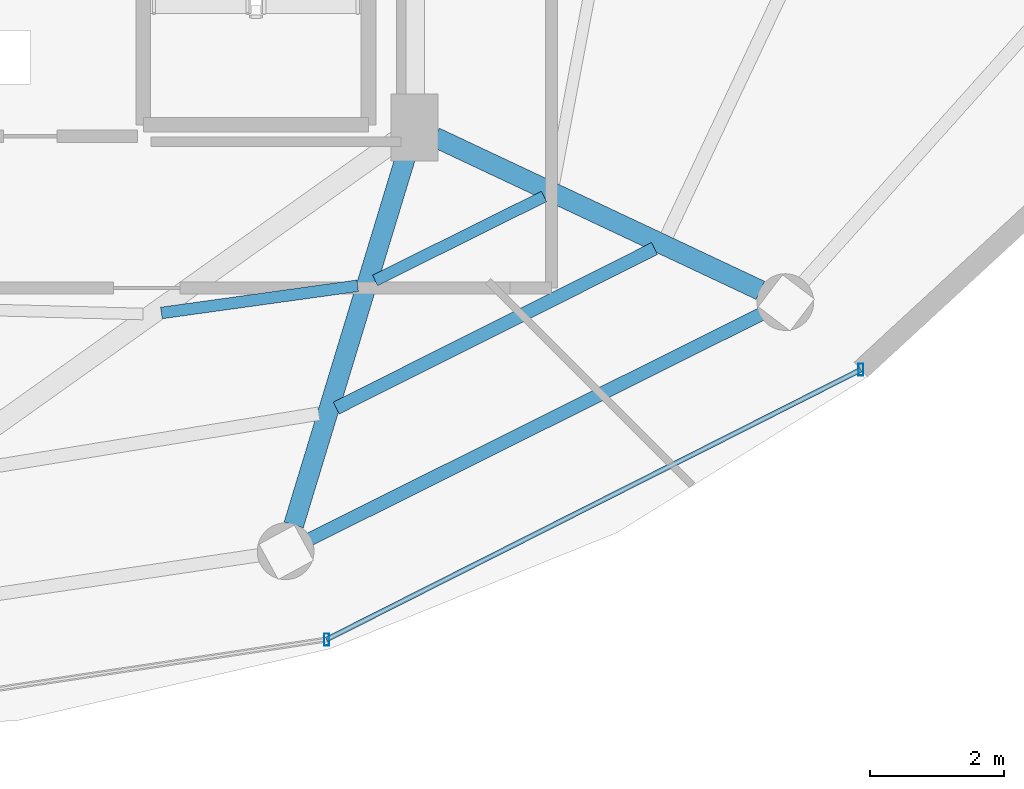
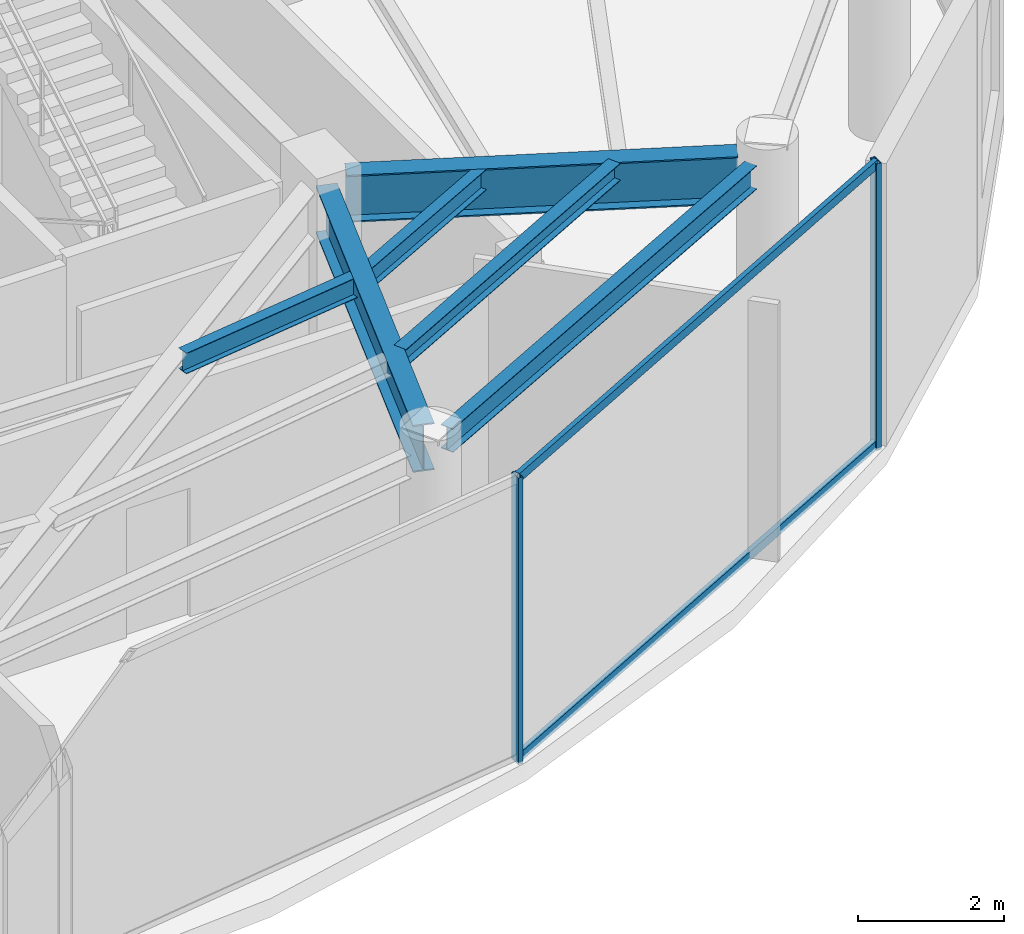
# One storey, part 11 of 24: 6 beams, 4 members, 1 element without a shape of its own.
"""IFC4 building model written with IfcOpenShell, lengths in metres."""

from ifc_helpers import new_model, si_unit, direction, frame, origin, origin_2d, place, context, subcontext, project, spatial, hollow_rectangle, i_section, extrude, material, material_profile, profile_set, type_object, element, aggregate, save


model = new_model("IFC4")

# Units and contexts
model_context = context("Model", 3, precision=1e-05, world=origin(), true_north=direction((0.0, 1.0)))
body_context = subcontext(model_context, "Body", "Model", "MODEL_VIEW")
ifc_project = project(units=[si_unit("LENGTHUNIT", "METRE"), si_unit("AREAUNIT", "SQUARE_METRE"), si_unit("VOLUMEUNIT", "CUBIC_METRE"), si_unit("PLANEANGLEUNIT", "RADIAN"), si_unit("MASSUNIT", "GRAM", prefix="KILO")], contexts=[model_context])

# Site, building, storey
site_placement = place(None, origin())
site = spatial("IfcSite", under=ifc_project, at=site_placement, CompositionType="ELEMENT")
building_placement = place(site_placement, origin())
building = spatial("IfcBuilding", under=site, at=building_placement, Name="Vorneva Point Tower", CompositionType="ELEMENT")
storey_placement = place(building_placement, frame((0.0, 0.0, 290.39990234375)))
storey = spatial("IfcBuildingStorey", under=building, at=storey_placement, Name="L78", CompositionType="ELEMENT", Elevation=290.39990234375)

# Beams
ifc_material_1 = material(Name="Steel S355", Category="steel")
ifc_material_profile_1 = material_profile(ifc_material_1, i_section(OverallWidth=0.300048828125, OverallDepth=0.7880859375, WebThickness=0.014404296875, FlangeThickness=0.02197265625, at=origin_2d()), Name="80Sh1")
ifc_profile_set_1 = profile_set([ifc_material_profile_1], Name="Steel S355")
beam_type_1 = type_object("IfcBeamType", Name="BM-GRD-80Sh1", PredefinedType="USERDEFINED", material=ifc_profile_set_1)
beam_1_placement = place(storey_placement, frame((46.941162109375, 10.50439453125, 4.326171875), z_axis=(0.291032624293, 0.956713129207, 0.0), x_axis=(-0.956713129207, 0.291032624293, 0.0)))
element("IfcBeam", 1, at=beam_1_placement, inside=storey, type_object=beam_type_1, Name="L78 Radial Primary Girder 14", ObjectType="GIRDER", PredefinedType="USERDEFINED", context=body_context, shape_type="SweptSolid", body=[
    extrude(i_section(OverallWidth=0.300048828125, OverallDepth=0.7880859375, WebThickness=0.014404296875, FlangeThickness=0.02197265625, at=origin_2d()), origin(), (0.0, 0.0, 1.0), 5.874755859375),
])
beam_2_placement = place(storey_placement, frame((53.925048828125, 14.013671875, 4.326171875), z_axis=(-0.904750812805, 0.425941271455, 0.0), x_axis=(-0.425941271455, -0.904750812805, 0.0)))
element("IfcBeam", 2, at=beam_2_placement, inside=storey, type_object=beam_type_1, Name="L78 Radial Primary Girder 15", ObjectType="GIRDER", PredefinedType="USERDEFINED", context=body_context, shape_type="SweptSolid", body=[
    extrude(i_section(OverallWidth=0.300048828125, OverallDepth=0.7880859375, WebThickness=0.014404296875, FlangeThickness=0.02197265625, at=origin_2d()), origin(), (0.0, 0.0, 1.0), 5.3798828125),
])
ifc_material_profile_2 = material_profile(ifc_material_1, i_section(OverallWidth=0.199951171875, OverallDepth=0.291015625, WebThickness=0.008056640625, FlangeThickness=0.010986328125, at=origin_2d()), Name="30Sh1")
ifc_profile_set_2 = profile_set([ifc_material_profile_2], Name="Steel S355")
beam_type_2 = type_object("IfcBeamType", Name="BM-SEC-30Sh1", PredefinedType="BEAM", material=ifc_profile_set_2)
beam_3_placement = place(storey_placement, frame((47.577392578125, 12.252197265625, 4.57470703125), z_axis=(0.894042010331, 0.447983128883, 0.0), x_axis=(-0.447983128883, 0.894042010331, 0.0)))
element("IfcBeam", 3, at=beam_3_placement, inside=storey, type_object=beam_type_2, Name="L78 Secondary Floor Beam 1.14", PredefinedType="BEAM", context=body_context, shape_type="SweptSolid", body=[
    extrude(i_section(OverallWidth=0.199951171875, OverallDepth=0.291015625, WebThickness=0.008056640625, FlangeThickness=0.010986328125, at=origin_2d()), origin(), (0.0, 0.0, 1.0), 5.328857421875),
])
ifc_material_profile_3 = material_profile(ifc_material_1, i_section(OverallWidth=0.174072265625, OverallDepth=0.345947265625, WebThickness=0.006103515625, FlangeThickness=0.009033203125, at=origin_2d()), Name="35B1")
ifc_profile_set_3 = profile_set([ifc_material_profile_3], Name="Steel S355")
beam_type_3 = type_object("IfcBeamType", Name="BM-SEC-35B1", PredefinedType="BEAM", material=ifc_profile_set_3)
beam_4_placement = place(storey_placement, frame((44.960693359375, 13.675048828125, 4.547119140625), z_axis=(0.990519047215, 0.137375460346, 0.0), x_axis=(-0.137375460346, 0.990519047215, 0.0)))
element("IfcBeam", 4, at=beam_4_placement, inside=storey, type_object=beam_type_3, Name="L78 Secondary Floor Beam 2.13", PredefinedType="BEAM", context=body_context, shape_type="SweptSolid", body=[
    extrude(i_section(OverallWidth=0.174072265625, OverallDepth=0.345947265625, WebThickness=0.006103515625, FlangeThickness=0.009033203125, at=origin_2d()), origin(), (0.0, 0.0, 1.0), 2.966064453125),
])
beam_5_placement = place(storey_placement, frame((48.158935546875, 14.162841796875, 4.547119140625), z_axis=(0.895531752864, 0.444997617536, 0.0), x_axis=(-0.444997617536, 0.895531752864, 0.0)))
element("IfcBeam", 5, at=beam_5_placement, inside=storey, type_object=beam_type_3, Name="L78 Secondary Floor Beam 2.14", PredefinedType="BEAM", context=body_context, shape_type="SweptSolid", body=[
    extrude(i_section(OverallWidth=0.174072265625, OverallDepth=0.345947265625, WebThickness=0.006103515625, FlangeThickness=0.009033203125, at=origin_2d()), origin(), (0.0, 0.0, 1.0), 2.822265625),
])
ifc_material_profile_4 = material_profile(ifc_material_1, i_section(OverallWidth=0.198974609375, OverallDepth=0.39599609375, WebThickness=0.007080078125, FlangeThickness=0.010986328125, at=origin_2d()), Name="40B1")
ifc_profile_set_4 = profile_set([ifc_material_profile_4], Name="Steel S355")
beam_type_4 = type_object("IfcBeamType", Name="BM-SPN-40B1", PredefinedType="SPANDREL", material=ifc_profile_set_4)
beam_6_placement = place(storey_placement, frame((47.187744140625, 10.292236328125, 4.522216796875), z_axis=(0.894932011528, 0.446202526599, 0.0), x_axis=(-0.446202526599, 0.894932011528, 0.0)))
element("IfcBeam", 6, at=beam_6_placement, inside=storey, type_object=beam_type_4, Name="L78 Perimeter Spandrel Ring Beam 14", PredefinedType="SPANDREL", context=body_context, shape_type="SweptSolid", body=[
    extrude(i_section(OverallWidth=0.198974609375, OverallDepth=0.39599609375, WebThickness=0.007080078125, FlangeThickness=0.010986328125, at=origin_2d()), origin(), (0.0, 0.0, 1.0), 7.535888671875),
])

# Curtain wall, members
ifc_material_2 = material(Name="Pale anodised aluminium", Category="aluminium")
curtain_wall_type = type_object("IfcCurtainWallType", Name="CW-OBS-SYS", PredefinedType="NOTDEFINED", material=ifc_material_2)
curtain_wall_placement = place(storey_placement, origin())
curtain_wall = element("IfcCurtainWall", 7, at=curtain_wall_placement, inside=storey, type_object=curtain_wall_type, Name="L78 Unitised Curtain Wall CW-L78-R04", PredefinedType="NOTDEFINED")
ifc_material_profile_5 = material_profile(ifc_material_2, hollow_rectangle(XDim=0.074951171875, YDim=0.179931640625, WallThickness=0.00390625, at=origin_2d()), Name="AL-MUL 180x75x4")
ifc_profile_set_5 = profile_set([ifc_material_profile_5], Name="Pale anodised aluminium")
member_type_1 = type_object("IfcMemberType", Name="CW-MUL-180", PredefinedType="MULLION", material=ifc_profile_set_5)
member_1_placement = place(storey_placement, frame((47.43310546875, 8.7880859375, -0.039794921875), z_axis=(0.0, 0.0, 1.0), x_axis=(1.0, 0.0, 0.0)))
member_1 = element("IfcMember", 8, at=member_1_placement, type_object=member_type_1, Name="CW-L78-R04 Mullion 03", PredefinedType="MULLION", context=body_context, shape_type="SweptSolid", body=[
    extrude(hollow_rectangle(XDim=0.074951171875, YDim=0.179931640625, WallThickness=0.00390625, at=origin_2d()), origin(), (0.0, 0.0, 1.0), 4.789794921875),
])
member_2_placement = place(storey_placement, frame((55.43017578125, 12.82666015625, -0.039794921875), z_axis=(0.0, 0.0, 1.0), x_axis=(1.0, 0.0, 0.0)))
member_2 = element("IfcMember", 9, at=member_2_placement, type_object=member_type_1, Name="CW-L78-R04 Mullion 04", PredefinedType="MULLION", context=body_context, shape_type="SweptSolid", body=[
    extrude(hollow_rectangle(XDim=0.074951171875, YDim=0.179931640625, WallThickness=0.00390625, at=origin_2d()), origin(), (0.0, 0.0, 1.0), 4.789794921875),
])
ifc_material_profile_6 = material_profile(ifc_material_2, hollow_rectangle(XDim=0.074951171875, YDim=0.14990234375, WallThickness=0.00390625, at=origin_2d()), Name="AL-TRN 150x75x4")
ifc_profile_set_6 = profile_set([ifc_material_profile_6], Name="Pale anodised aluminium")
member_type_2 = type_object("IfcMemberType", Name="CW-TRN-150", PredefinedType="USERDEFINED", material=ifc_profile_set_6)
member_3_placement = place(storey_placement, frame((47.43310546875, 8.7880859375, 0.02001953125), z_axis=(0.892632382234, 0.450785348239, 0.0), x_axis=(-0.450785348239, 0.892632382234, 0.0)))
member_3 = element("IfcMember", 10, at=member_3_placement, type_object=member_type_2, Name="CW-L78-R04 Transom 03.1", ObjectType="TRANSOM", PredefinedType="USERDEFINED", context=body_context, shape_type="SweptSolid", body=[
    extrude(hollow_rectangle(XDim=0.074951171875, YDim=0.14990234375, WallThickness=0.00390625, at=origin_2d()), origin(), (0.0, 0.0, 1.0), 8.958984375),
])
member_4_placement = place(storey_placement, frame((47.43310546875, 8.7880859375, 4.7001953125), z_axis=(0.892632382234, 0.450785348239, 0.0), x_axis=(-0.450785348239, 0.892632382234, 0.0)))
member_4 = element("IfcMember", 11, at=member_4_placement, type_object=member_type_2, Name="CW-L78-R04 Transom 03.2", ObjectType="TRANSOM", PredefinedType="USERDEFINED", context=body_context, shape_type="SweptSolid", body=[
    extrude(hollow_rectangle(XDim=0.074951171875, YDim=0.14990234375, WallThickness=0.00390625, at=origin_2d()), origin(), (0.0, 0.0, 1.0), 8.958984375),
])
aggregate(curtain_wall, [member_1, member_2, member_3, member_4])

save(model, "model.ifc")
